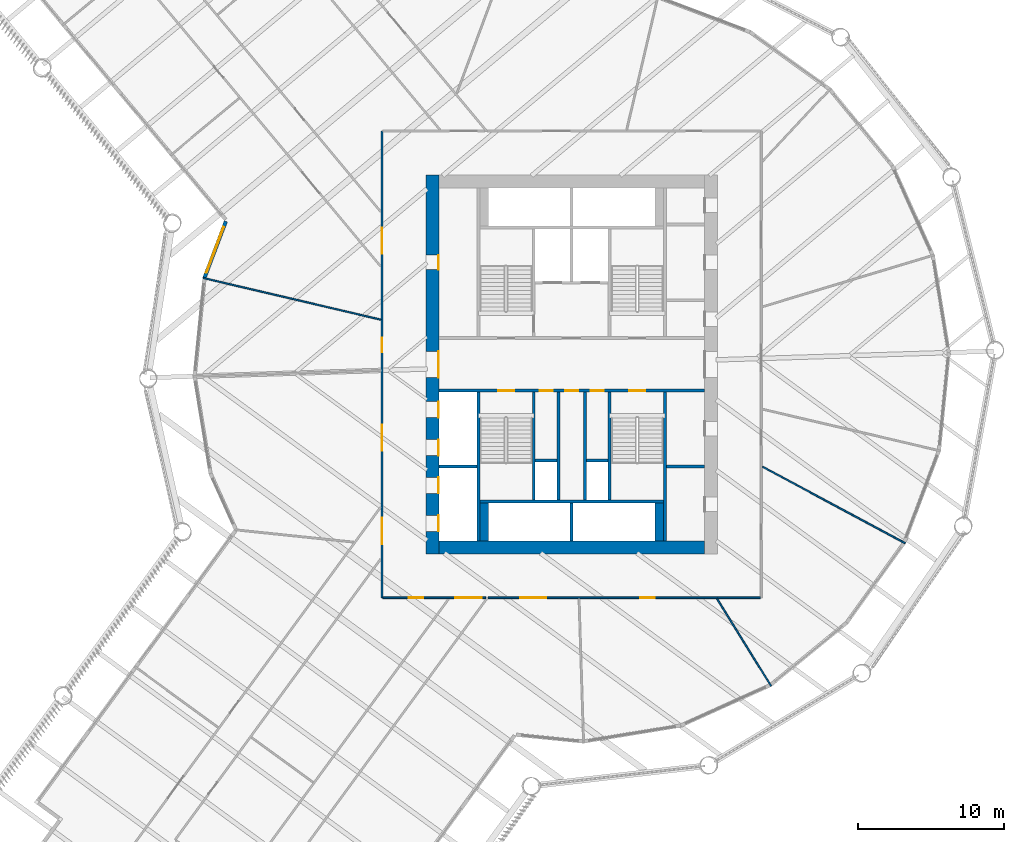
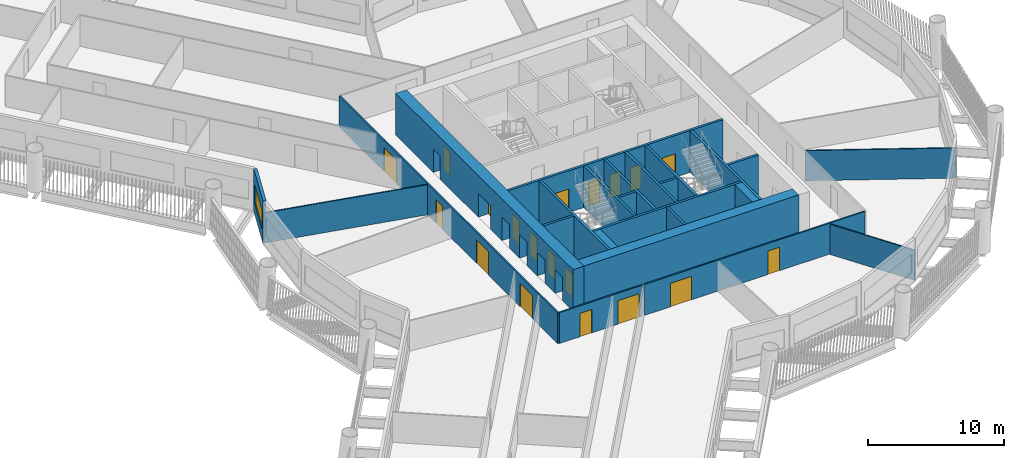
# One storey, part 4 of 15: 24 walls, 19 doors, 1 window, 20 openings.
"""IFC4 building model written with IfcOpenShell, lengths in metres."""

from ifc_helpers import new_model, si_unit, direction, frame, frame_2d, origin, place, context, subcontext, project, spatial, rectangle, extrude, material, layer, layer_set, type_object, element, fill, save


model = new_model("IFC4")

# Units and contexts
model_context = context("Model", 3, precision=1e-05, world=origin(), true_north=direction((0.0, 1.0)))
body_context = subcontext(model_context, "Body", "Model", "MODEL_VIEW")
ifc_project = project(units=[si_unit("LENGTHUNIT", "METRE"), si_unit("AREAUNIT", "SQUARE_METRE"), si_unit("VOLUMEUNIT", "CUBIC_METRE"), si_unit("PLANEANGLEUNIT", "RADIAN"), si_unit("MASSUNIT", "GRAM", prefix="KILO")], contexts=[model_context])

# Site, building, storey
site_placement = place(None, origin())
site = spatial("IfcSite", under=ifc_project, at=site_placement, CompositionType="ELEMENT")
building_placement = place(site_placement, origin())
building = spatial("IfcBuilding", under=site, at=building_placement, Name="Tarsis Ring Headquarters", CompositionType="ELEMENT")
storey_placement = place(building_placement, frame((0.0, 0.0, 43.89990234375)))
storey = spatial("IfcBuildingStorey", under=building, at=storey_placement, Name="L08", CompositionType="ELEMENT", Elevation=43.89990234375)

# Walls
ifc_material_1 = material(Name="Blockwork", Category="masonry")
ifc_layer_1 = layer(ifc_material_1, 0.199951171875)
ifc_layer_set_1 = layer_set([ifc_layer_1], Name="Core blockwork wall 200")
wall_type_1 = type_object("IfcWallType", Name="Core blockwork wall 200", PredefinedType="PARTITIONING", material=ifc_layer_set_1)
wall_1_placement = place(storey_placement, frame((6.5, -7.0, 0.0), z_axis=(0.0, 0.0, 1.0), x_axis=(1.0, 0.0, 0.0)))
element("IfcWall", 1, at=wall_1_placement, inside=storey, type_object=wall_type_1, Name="Core partition ED2", PredefinedType="PARTITIONING", context=body_context, shape_type="SweptSolid", body=[
    extrude(rectangle(XDim=2.60009765625, YDim=0.199951171875, at=frame_2d((1.300048828125, 0.0))), origin(), (0.0, 0.0, 1.0), 3.739990234375),
])
for number, where, z_axis, x_axis, name in (
    (2, (-2.5, -6.60009765625, 0.0), (0.0, 0.0, 1.0), (1.0, 0.0, 0.0), "Core partition SP1"),
    (3, (1.0, -6.60009765625, 0.0), (0.0, 0.0, 1.0), (1.0, 0.0, 0.0), "Core partition SP3"),
):
    element("IfcWall", number, at=place(storey_placement, frame(where, z_axis=z_axis, x_axis=x_axis)), inside=storey, type_object=wall_type_1, Name=name, PredefinedType="PARTITIONING", context=body_context, shape_type="SweptSolid", body=[
        extrude(rectangle(XDim=1.5, YDim=0.199951171875, at=frame_2d((0.75, 0.0))), origin(), (0.0, 0.0, 1.0), 3.739990234375),
    ])
for number, where, z_axis, x_axis, name in (
    (4, (-0.89990234375, -9.300048828125, 0.0), (0.0, 0.0, 1.0), (0.0, 1.0, 0.0), "Core partition SV1"),
    (5, (0.89990234375, -9.300048828125, 0.0), (0.0, 0.0, 1.0), (0.0, 1.0, 0.0), "Core partition SV2"),
):
    element("IfcWall", number, at=place(storey_placement, frame(where, z_axis=z_axis, x_axis=x_axis)), inside=storey, type_object=wall_type_1, Name=name, PredefinedType="PARTITIONING", context=body_context, shape_type="SweptSolid", body=[
        extrude(rectangle(XDim=7.400146484375, YDim=0.199951171875, at=frame_2d((3.7001953125, 0.0))), origin(), (0.0, 0.0, 1.0), 3.739990234375),
    ])

# Wall, openings, doors
ifc_material_2 = material(Name="Concrete C60/75", Category="concrete")
ifc_layer_2 = layer(ifc_material_2, 0.89990234375)
ifc_layer_set_2 = layer_set([ifc_layer_2], Name="Core wall 900 C60/75")
wall_type_2 = type_object("IfcWallType", Name="Core wall 900 C60/75", PredefinedType="SHEAR", material=ifc_layer_set_2)
wall_2_placement = place(storey_placement, frame((-9.550048828125, -13.0, 0.0), z_axis=(0.0, 0.0, 1.0), x_axis=(0.0, 1.0, 0.0)))
wall_2 = element("IfcWall", 6, at=wall_2_placement, inside=storey, type_object=wall_type_2, Name="Core wall OW", PredefinedType="SHEAR", context=body_context, shape_type="SweptSolid", body=[
    extrude(rectangle(XDim=26.0, YDim=0.89990234375, at=frame_2d((13.0, 0.0))), origin(), (0.0, 0.0, 1.0), 3.739990234375),
])
opening_1_placement = place(wall_2_placement, frame((1.550048828125, 0.0, 0.0)))
opening_1 = element("IfcOpeningElement", 7, at=opening_1_placement, cuts=wall_2, Name="Opening LD-LR1", PredefinedType="OPENING", context=body_context, shape_type="SweptSolid", body=[
    extrude(rectangle(XDim=1.10009765625, YDim=2.10009765625, at=frame_2d((0.550048828125, 1.050048828125))), frame((0.0, 0.4599609375, 0.0), z_axis=(0.0, -1.0, 0.0), x_axis=(1.0, 0.0, 0.0)), (0.0, 0.0, 1.0), 0.919921875),
])
opening_2_placement = place(wall_2_placement, frame((4.14990234375, 0.0, 0.0)))
opening_2 = element("IfcOpeningElement", 8, at=opening_2_placement, cuts=wall_2, Name="Opening LD-LR2", PredefinedType="OPENING", context=body_context, shape_type="SweptSolid", body=[
    extrude(rectangle(XDim=1.10009765625, YDim=2.10009765625, at=frame_2d((0.550048828125, 1.050048828125))), frame((0.0, 0.4599609375, 0.0), z_axis=(0.0, -1.0, 0.0), x_axis=(1.0, 0.0, 0.0)), (0.0, 0.0, 1.0), 0.919921875),
])
opening_3_placement = place(wall_2_placement, frame((6.75, 0.0, 0.0)))
opening_3 = element("IfcOpeningElement", 9, at=opening_3_placement, cuts=wall_2, Name="Opening LD-LR3", PredefinedType="OPENING", context=body_context, shape_type="SweptSolid", body=[
    extrude(rectangle(XDim=1.10009765625, YDim=2.10009765625, at=frame_2d((0.550048828125, 1.050048828125))), frame((0.0, 0.4599609375, 0.0), z_axis=(0.0, -1.0, 0.0), x_axis=(1.0, 0.0, 0.0)), (0.0, 0.0, 1.0), 0.919921875),
])
opening_4_placement = place(wall_2_placement, frame((9.35009765625, 0.0, 0.0)))
opening_4 = element("IfcOpeningElement", 10, at=opening_4_placement, cuts=wall_2, Name="Opening LD-LR4", PredefinedType="OPENING", context=body_context, shape_type="SweptSolid", body=[
    extrude(rectangle(XDim=1.10009765625, YDim=2.10009765625, at=frame_2d((0.550048828125, 1.050048828125))), frame((0.0, 0.4599609375, 0.0), z_axis=(0.0, -1.0, 0.0), x_axis=(1.0, 0.0, 0.0)), (0.0, 0.0, 1.0), 0.919921875),
])
opening_5_placement = place(wall_2_placement, frame((12.10009765625, 0.0, 0.0)))
opening_5 = element("IfcOpeningElement", 11, at=opening_5_placement, cuts=wall_2, Name="Opening L08-C05", PredefinedType="OPENING", context=body_context, shape_type="SweptSolid", body=[
    extrude(rectangle(XDim=1.800048828125, YDim=2.10009765625, at=frame_2d((0.89990234375, 1.050048828125))), frame((0.0, 0.4599609375, 0.0), z_axis=(0.0, -1.0, 0.0), x_axis=(1.0, 0.0, 0.0)), (0.0, 0.0, 1.0), 0.919921875),
])
opening_6_placement = place(wall_2_placement, frame((19.5, 0.0, 0.0)))
opening_6 = element("IfcOpeningElement", 12, at=opening_6_placement, cuts=wall_2, Name="Opening L08-C06", PredefinedType="OPENING", context=body_context, shape_type="SweptSolid", body=[
    extrude(rectangle(XDim=1.0, YDim=2.10009765625, at=frame_2d((0.5, 1.050048828125))), frame((0.0, 0.4599609375, 0.0), z_axis=(0.0, -1.0, 0.0), x_axis=(1.0, 0.0, 0.0)), (0.0, 0.0, 1.0), 0.919921875),
])
ifc_material_3 = material(Name="Steel S355", Category="steel")
door_type_1 = type_object("IfcDoorType", Name="Core entry door 1800x2100", OperationType="DOUBLE_DOOR_SINGLE_SWING", PredefinedType="DOOR", material=ifc_material_3)
door_1_placement = place(opening_5_placement, origin())
door_1 = element("IfcDoor", 13, at=door_1_placement, inside=storey, type_object=door_type_1, Name="Core entry door L08", OperationType="DOUBLE_DOOR_SINGLE_SWING", OverallHeight=2.10009765625, OverallWidth=1.800048828125, PredefinedType="DOOR", context=body_context, shape_type="SweptSolid", body=[
    extrude(rectangle(XDim=1.800048828125, YDim=2.10009765625, at=frame_2d((0.89990234375, 1.050048828125))), frame((0.0, -0.39990234375, 0.0), z_axis=(0.0, -1.0, 0.0), x_axis=(1.0, 0.0, 0.0)), (0.0, 0.0, 1.0), 0.050048828125),
])
fill(opening_5, door_1)
door_type_2 = type_object("IfcDoorType", Name="Core room door 1000x2100", OperationType="SINGLE_SWING_LEFT", PredefinedType="DOOR", material=ifc_material_3)
door_2_placement = place(opening_6_placement, origin())
door_2 = element("IfcDoor", 14, at=door_2_placement, inside=storey, type_object=door_type_2, Name="Core room door L08", OperationType="SINGLE_SWING_LEFT", OverallHeight=2.10009765625, OverallWidth=1.0, PredefinedType="DOOR", context=body_context, shape_type="SweptSolid", body=[
    extrude(rectangle(XDim=1.0, YDim=2.10009765625, at=frame_2d((0.5, 1.050048828125))), frame((0.0, -0.39990234375, 0.0), z_axis=(0.0, -1.0, 0.0), x_axis=(1.0, 0.0, 0.0)), (0.0, 0.0, 1.0), 0.050048828125),
])
fill(opening_6, door_2)
door_type_3 = type_object("IfcDoorType", Name="Landing door 1100x2100", OperationType="SLIDING_TO_LEFT", PredefinedType="DOOR", material=ifc_material_3)
door_3_placement = place(opening_1_placement, origin())
door_3 = element("IfcDoor", 15, at=door_3_placement, inside=storey, type_object=door_type_3, Name="Landing door LR1 L08", OperationType="SLIDING_TO_LEFT", OverallHeight=2.10009765625, OverallWidth=1.10009765625, PredefinedType="DOOR", context=body_context, shape_type="SweptSolid", body=[
    extrude(rectangle(XDim=1.10009765625, YDim=2.10009765625, at=frame_2d((0.550048828125, 1.050048828125))), frame((0.0, -0.39990234375, 0.0), z_axis=(0.0, -1.0, 0.0), x_axis=(1.0, 0.0, 0.0)), (0.0, 0.0, 1.0), 0.050048828125),
])
fill(opening_1, door_3)
door_4_placement = place(opening_2_placement, origin())
door_4 = element("IfcDoor", 16, at=door_4_placement, inside=storey, type_object=door_type_3, Name="Landing door LR2 L08", OperationType="SLIDING_TO_LEFT", OverallHeight=2.10009765625, OverallWidth=1.10009765625, PredefinedType="DOOR", context=body_context, shape_type="SweptSolid", body=[
    extrude(rectangle(XDim=1.10009765625, YDim=2.10009765625, at=frame_2d((0.550048828125, 1.050048828125))), frame((0.0, -0.39990234375, 0.0), z_axis=(0.0, -1.0, 0.0), x_axis=(1.0, 0.0, 0.0)), (0.0, 0.0, 1.0), 0.050048828125),
])
fill(opening_2, door_4)
door_5_placement = place(opening_3_placement, origin())
door_5 = element("IfcDoor", 17, at=door_5_placement, inside=storey, type_object=door_type_3, Name="Landing door LR3 L08", OperationType="SLIDING_TO_LEFT", OverallHeight=2.10009765625, OverallWidth=1.10009765625, PredefinedType="DOOR", context=body_context, shape_type="SweptSolid", body=[
    extrude(rectangle(XDim=1.10009765625, YDim=2.10009765625, at=frame_2d((0.550048828125, 1.050048828125))), frame((0.0, -0.39990234375, 0.0), z_axis=(0.0, -1.0, 0.0), x_axis=(1.0, 0.0, 0.0)), (0.0, 0.0, 1.0), 0.050048828125),
])
fill(opening_3, door_5)
door_6_placement = place(opening_4_placement, origin())
door_6 = element("IfcDoor", 18, at=door_6_placement, inside=storey, type_object=door_type_3, Name="Landing door LR4 L08", OperationType="SLIDING_TO_LEFT", OverallHeight=2.10009765625, OverallWidth=1.10009765625, PredefinedType="DOOR", context=body_context, shape_type="SweptSolid", body=[
    extrude(rectangle(XDim=1.10009765625, YDim=2.10009765625, at=frame_2d((0.550048828125, 1.050048828125))), frame((0.0, -0.39990234375, 0.0), z_axis=(0.0, -1.0, 0.0), x_axis=(1.0, 0.0, 0.0)), (0.0, 0.0, 1.0), 0.050048828125),
])
fill(opening_4, door_6)

# Walls
wall_3_placement = place(storey_placement, frame((-9.10009765625, -12.550048828125, 0.0), z_axis=(0.0, 0.0, 1.0), x_axis=(1.0, 0.0, 0.0)))
element("IfcWall", 19, at=wall_3_placement, inside=storey, type_object=wall_type_2, Name="Core wall OS", PredefinedType="SHEAR", context=body_context, shape_type="SweptSolid", body=[
    extrude(rectangle(XDim=18.2001953125, YDim=0.89990234375, at=frame_2d((9.10009765625, 0.0))), origin(), (0.0, 0.0, 1.0), 3.739990234375),
])
ifc_material_4 = material(Name="Gypsum board on steel studs", Category="steel")
ifc_layer_3 = layer(ifc_material_4, 0.10009765625)
ifc_layer_set_3 = layer_set([ifc_layer_3], Name="FL partition 100 unrated")
wall_type_3 = type_object("IfcWallType", Name="FL partition 100 unrated", PredefinedType="PARTITIONING", material=ifc_layer_set_3)
wall_4_placement = place(storey_placement, frame((-25.26220703125, 5.92529296875, 0.0), z_axis=(0.0, 0.0, 1.0), x_axis=(0.973578742912, -0.228351552109, 0.0)))
element("IfcWall", 20, at=wall_4_placement, inside=storey, type_object=wall_type_3, Name="Partition PW3", PredefinedType="PARTITIONING", context=body_context, shape_type="SweptSolid", body=[
    extrude(rectangle(XDim=12.52490234375, YDim=0.10009765625, at=frame_2d((6.262451171875, 0.0))), origin(), (0.0, 0.0, 1.0), 2.7001953125),
])
wall_5_placement = place(storey_placement, frame((13.079345703125, -7.01318359375, 0.0), z_axis=(0.0, 0.0, 1.0), x_axis=(0.881305412671, -0.472547108336, 0.0)))
element("IfcWall", 21, at=wall_5_placement, inside=storey, type_object=wall_type_3, Name="Partition PW3", PredefinedType="PARTITIONING", context=body_context, shape_type="SweptSolid", body=[
    extrude(rectangle(XDim=11.10693359375, YDim=0.10009765625, at=frame_2d((5.553466796875, 0.0))), origin(), (0.0, 0.0, 1.0), 2.7001953125),
])
wall_6_placement = place(storey_placement, frame((9.9677734375, -16.076416015625, 0.0), z_axis=(0.0, 0.0, 1.0), x_axis=(0.526949700028, -0.849896472307, 0.0)))
element("IfcWall", 22, at=wall_6_placement, inside=storey, type_object=wall_type_3, Name="Partition PW3", PredefinedType="PARTITIONING", context=body_context, shape_type="SweptSolid", body=[
    extrude(rectangle(XDim=7.0322265625, YDim=0.10009765625, at=frame_2d((3.51611328125, 0.0))), origin(), (0.0, 0.0, 1.0), 2.7001953125),
])

# Wall, openings, doors
ifc_layer_4 = layer(ifc_material_4, 0.125)
ifc_layer_set_4 = layer_set([ifc_layer_4], Name="FL partition 125 EI 60 H2770")
wall_type_4 = type_object("IfcWallType", Name="FL partition 125 EI 60 H2770", PredefinedType="PARTITIONING", material=ifc_layer_set_4)
wall_7_placement = place(storey_placement, frame((-13.0, -15.9990234375, 0.0), z_axis=(0.0, 0.0, 1.0), x_axis=(0.0, 1.0, 0.0)))
wall_7 = element("IfcWall", 23, at=wall_7_placement, inside=storey, type_object=wall_type_4, Name="Partition PW1", PredefinedType="PARTITIONING", context=body_context, shape_type="SweptSolid", body=[
    extrude(rectangle(XDim=31.9990234375, YDim=0.125, at=frame_2d((15.99951171875, 0.0))), origin(), (0.0, 0.0, 1.0), 2.77001953125),
])
opening_7_placement = place(wall_7_placement, frame((10.06884765625, 0.0, 0.0)))
opening_7 = element("IfcOpeningElement", 24, at=opening_7_placement, cuts=wall_7, Name="Opening D08.15", PredefinedType="OPENING", context=body_context, shape_type="SweptSolid", body=[
    extrude(rectangle(XDim=1.800048828125, YDim=2.10009765625, at=frame_2d((0.89990234375, 1.050048828125))), frame((0.0, 0.072509765625, 0.0), z_axis=(0.0, -1.0, 0.0), x_axis=(1.0, 0.0, 0.0)), (0.0, 0.0, 1.0), 0.14501953125),
])
opening_8_placement = place(wall_7_placement, frame((16.8193359375, 0.0, 0.0)))
opening_8 = element("IfcOpeningElement", 25, at=opening_8_placement, cuts=wall_7, Name="Opening D08.16", PredefinedType="OPENING", context=body_context, shape_type="SweptSolid", body=[
    extrude(rectangle(XDim=1.0, YDim=2.10009765625, at=frame_2d((0.5, 1.050048828125))), frame((0.0, 0.072509765625, 0.0), z_axis=(0.0, -1.0, 0.0), x_axis=(1.0, 0.0, 0.0)), (0.0, 0.0, 1.0), 0.14501953125),
])
opening_9_placement = place(wall_7_placement, frame((3.669189453125, 0.0, 0.0)))
opening_9 = element("IfcOpeningElement", 26, at=opening_9_placement, cuts=wall_7, Name="Opening D08.23", PredefinedType="OPENING", context=body_context, shape_type="SweptSolid", body=[
    extrude(rectangle(XDim=1.800048828125, YDim=2.10009765625, at=frame_2d((0.89990234375, 1.050048828125))), frame((0.0, 0.072509765625, 0.0), z_axis=(0.0, -1.0, 0.0), x_axis=(1.0, 0.0, 0.0)), (0.0, 0.0, 1.0), 0.14501953125),
])
opening_10_placement = place(wall_7_placement, frame((23.578369140625, 0.0, 0.0)))
opening_10 = element("IfcOpeningElement", 27, at=opening_10_placement, cuts=wall_7, Name="Opening D08.25", PredefinedType="OPENING", context=body_context, shape_type="SweptSolid", body=[
    extrude(rectangle(XDim=1.800048828125, YDim=2.10009765625, at=frame_2d((0.89990234375, 1.050048828125))), frame((0.0, 0.072509765625, 0.0), z_axis=(0.0, -1.0, 0.0), x_axis=(1.0, 0.0, 0.0)), (0.0, 0.0, 1.0), 0.14501953125),
])
ifc_material_5 = material(Name="Fire-rated timber door leaf in steel frame", Category="steel")
door_type_4 = type_object("IfcDoorType", Name="FL door FD60-1000", OperationType="NOTDEFINED", PredefinedType="DOOR", material=ifc_material_5)
door_7_placement = place(opening_8_placement, origin())
door_7 = element("IfcDoor", 28, at=door_7_placement, inside=storey, type_object=door_type_4, Name="Door D08.16", OperationType="SINGLE_SWING_RIGHT", OverallHeight=2.10009765625, OverallWidth=1.0, PredefinedType="DOOR", context=body_context, shape_type="SweptSolid", body=[
    extrude(rectangle(XDim=1.0, YDim=2.10009765625, at=frame_2d((0.5, 1.050048828125))), frame((0.0, 0.02490234375, 0.0), z_axis=(0.0, -1.0, 0.0), x_axis=(1.0, 0.0, 0.0)), (0.0, 0.0, 1.0), 0.050048828125),
])
fill(opening_8, door_7)
door_type_5 = type_object("IfcDoorType", Name="FL door FD60-1800", OperationType="DOUBLE_DOOR_SINGLE_SWING", PredefinedType="DOOR", material=ifc_material_5)
door_8_placement = place(opening_7_placement, origin())
door_8 = element("IfcDoor", 29, at=door_8_placement, inside=storey, type_object=door_type_5, Name="Door D08.15", OperationType="DOUBLE_DOOR_SINGLE_SWING", OverallHeight=2.10009765625, OverallWidth=1.800048828125, PredefinedType="DOOR", context=body_context, shape_type="SweptSolid", body=[
    extrude(rectangle(XDim=1.800048828125, YDim=2.10009765625, at=frame_2d((0.89990234375, 1.050048828125))), frame((0.0, 0.02490234375, 0.0), z_axis=(0.0, -1.0, 0.0), x_axis=(1.0, 0.0, 0.0)), (0.0, 0.0, 1.0), 0.050048828125),
])
fill(opening_7, door_8)
door_9_placement = place(opening_9_placement, origin())
door_9 = element("IfcDoor", 30, at=door_9_placement, inside=storey, type_object=door_type_5, Name="Door D08.23", OperationType="DOUBLE_DOOR_SINGLE_SWING", OverallHeight=2.10009765625, OverallWidth=1.800048828125, PredefinedType="DOOR", context=body_context, shape_type="SweptSolid", body=[
    extrude(rectangle(XDim=1.800048828125, YDim=2.10009765625, at=frame_2d((0.89990234375, 1.050048828125))), frame((0.0, 0.02490234375, 0.0), z_axis=(0.0, -1.0, 0.0), x_axis=(1.0, 0.0, 0.0)), (0.0, 0.0, 1.0), 0.050048828125),
])
fill(opening_9, door_9)
door_10_placement = place(opening_10_placement, origin())
door_10 = element("IfcDoor", 31, at=door_10_placement, inside=storey, type_object=door_type_5, Name="Door D08.25", OperationType="DOUBLE_DOOR_SINGLE_SWING", OverallHeight=2.10009765625, OverallWidth=1.800048828125, PredefinedType="DOOR", context=body_context, shape_type="SweptSolid", body=[
    extrude(rectangle(XDim=1.800048828125, YDim=2.10009765625, at=frame_2d((0.89990234375, 1.050048828125))), frame((0.0, 0.02490234375, 0.0), z_axis=(0.0, -1.0, 0.0), x_axis=(1.0, 0.0, 0.0)), (0.0, 0.0, 1.0), 0.050048828125),
])
fill(opening_10, door_10)

wall_8_placement = place(storey_placement, frame((-12.93896484375, -16.0, 0.0), z_axis=(0.0, 0.0, 1.0), x_axis=(1.0, 0.0, 0.0)))
wall_8 = element("IfcWall", 32, at=wall_8_placement, inside=storey, type_object=wall_type_4, Name="Partition PW1", PredefinedType="PARTITIONING", context=body_context, shape_type="SweptSolid", body=[
    extrude(rectangle(XDim=7.041259765625, YDim=0.125, at=frame_2d((3.5205078125, 0.0))), origin(), (0.0, 0.0, 1.0), 2.77001953125),
])
opening_11_placement = place(wall_8_placement, frame((1.751220703125, 0.0, 0.0)))
opening_11 = element("IfcOpeningElement", 33, at=opening_11_placement, cuts=wall_8, Name="Opening D08.21", PredefinedType="OPENING", context=body_context, shape_type="SweptSolid", body=[
    extrude(rectangle(XDim=1.0, YDim=2.10009765625, at=frame_2d((0.5, 1.050048828125))), frame((0.0, 0.072509765625, 0.0), z_axis=(0.0, -1.0, 0.0), x_axis=(1.0, 0.0, 0.0)), (0.0, 0.0, 1.0), 0.14501953125),
])
opening_12_placement = place(wall_8_placement, frame((4.96337890625, 0.0, 0.0)))
opening_12 = element("IfcOpeningElement", 34, at=opening_12_placement, cuts=wall_8, Name="Opening D08.24", PredefinedType="OPENING", context=body_context, shape_type="SweptSolid", body=[
    extrude(rectangle(XDim=1.800048828125, YDim=2.10009765625, at=frame_2d((0.89990234375, 1.050048828125))), frame((0.0, 0.072509765625, 0.0), z_axis=(0.0, -1.0, 0.0), x_axis=(1.0, 0.0, 0.0)), (0.0, 0.0, 1.0), 0.14501953125),
])
door_11_placement = place(opening_11_placement, origin())
door_11 = element("IfcDoor", 35, at=door_11_placement, inside=storey, type_object=door_type_4, Name="Door D08.21", OperationType="SINGLE_SWING_LEFT", OverallHeight=2.10009765625, OverallWidth=1.0, PredefinedType="DOOR", context=body_context, shape_type="SweptSolid", body=[
    extrude(rectangle(XDim=1.0, YDim=2.10009765625, at=frame_2d((0.5, 1.050048828125))), frame((0.0, 0.02490234375, 0.0), z_axis=(0.0, -1.0, 0.0), x_axis=(1.0, 0.0, 0.0)), (0.0, 0.0, 1.0), 0.050048828125),
])
fill(opening_11, door_11)
door_12_placement = place(opening_12_placement, origin())
door_12 = element("IfcDoor", 36, at=door_12_placement, inside=storey, type_object=door_type_5, Name="Door D08.24", OperationType="DOUBLE_DOOR_SINGLE_SWING", OverallHeight=2.10009765625, OverallWidth=1.800048828125, PredefinedType="DOOR", context=body_context, shape_type="SweptSolid", body=[
    extrude(rectangle(XDim=1.800048828125, YDim=2.10009765625, at=frame_2d((0.89990234375, 1.050048828125))), frame((0.0, 0.02490234375, 0.0), z_axis=(0.0, -1.0, 0.0), x_axis=(1.0, 0.0, 0.0)), (0.0, 0.0, 1.0), 0.050048828125),
])
fill(opening_12, door_12)

wall_9_placement = place(storey_placement, frame((-5.723876953125, -16.0, 0.0), z_axis=(0.0, 0.0, 1.0), x_axis=(1.0, 0.0, 0.0)))
wall_9 = element("IfcWall", 37, at=wall_9_placement, inside=storey, type_object=wall_type_4, Name="Partition PW1", PredefinedType="PARTITIONING", context=body_context, shape_type="SweptSolid", body=[
    extrude(rectangle(XDim=18.663818359375, YDim=0.125, at=frame_2d((9.33203125, 0.0))), origin(), (0.0, 0.0, 1.0), 2.77001953125),
])
opening_13_placement = place(wall_9_placement, frame((10.435546875, 0.0, 0.0)))
opening_13 = element("IfcOpeningElement", 38, at=opening_13_placement, cuts=wall_9, Name="Opening D08.10", PredefinedType="OPENING", context=body_context, shape_type="SweptSolid", body=[
    extrude(rectangle(XDim=1.0, YDim=2.10009765625, at=frame_2d((0.5, 1.050048828125))), frame((0.0, 0.072509765625, 0.0), z_axis=(0.0, -1.0, 0.0), x_axis=(1.0, 0.0, 0.0)), (0.0, 0.0, 1.0), 0.14501953125),
])
opening_14_placement = place(wall_9_placement, frame((2.188232421875, 0.0, 0.0)))
opening_14 = element("IfcOpeningElement", 39, at=opening_14_placement, cuts=wall_9, Name="Opening D08.11", PredefinedType="OPENING", context=body_context, shape_type="SweptSolid", body=[
    extrude(rectangle(XDim=1.800048828125, YDim=2.10009765625, at=frame_2d((0.89990234375, 1.050048828125))), frame((0.0, 0.072509765625, 0.0), z_axis=(0.0, -1.0, 0.0), x_axis=(1.0, 0.0, 0.0)), (0.0, 0.0, 1.0), 0.14501953125),
])
door_13_placement = place(opening_13_placement, origin())
door_13 = element("IfcDoor", 40, at=door_13_placement, inside=storey, type_object=door_type_4, Name="Door D08.10", OperationType="SINGLE_SWING_RIGHT", OverallHeight=2.10009765625, OverallWidth=1.0, PredefinedType="DOOR", context=body_context, shape_type="SweptSolid", body=[
    extrude(rectangle(XDim=1.0, YDim=2.10009765625, at=frame_2d((0.5, 1.050048828125))), frame((0.0, 0.02490234375, 0.0), z_axis=(0.0, -1.0, 0.0), x_axis=(1.0, 0.0, 0.0)), (0.0, 0.0, 1.0), 0.050048828125),
])
fill(opening_13, door_13)
door_14_placement = place(opening_14_placement, origin())
door_14 = element("IfcDoor", 41, at=door_14_placement, inside=storey, type_object=door_type_5, Name="Door D08.11", OperationType="DOUBLE_DOOR_SINGLE_SWING", OverallHeight=2.10009765625, OverallWidth=1.800048828125, PredefinedType="DOOR", context=body_context, shape_type="SweptSolid", body=[
    extrude(rectangle(XDim=1.800048828125, YDim=2.10009765625, at=frame_2d((0.89990234375, 1.050048828125))), frame((0.0, 0.02490234375, 0.0), z_axis=(0.0, -1.0, 0.0), x_axis=(1.0, 0.0, 0.0)), (0.0, 0.0, 1.0), 0.050048828125),
])
fill(opening_14, door_14)

# Wall, opening, window
ifc_material_6 = material(Name="Terracotta clad insulated panel wall", Category="masonry")
ifc_layer_5 = layer(ifc_material_6, 0.25)
ifc_layer_set_5 = layer_set([ifc_layer_5], Name="Facade wall terracotta panel 250")
wall_type_5 = type_object("IfcWallType", Name="Facade wall terracotta panel 250", PredefinedType="STANDARD", material=ifc_layer_set_5)
wall_10_placement = place(storey_placement, frame((-23.71484375, 9.81298828125, 0.0), z_axis=(0.0, 0.0, 1.0), x_axis=(-0.353503341873, -0.935433261801, 0.0)))
wall_10 = element("IfcWall", 42, at=wall_10_placement, inside=storey, type_object=wall_type_5, Name="External wall L08-02", PredefinedType="STANDARD", context=body_context, shape_type="SweptSolid", body=[
    extrude(rectangle(XDim=4.15771484375, YDim=0.25, at=frame_2d((2.078857421875, 0.0))), origin(), (0.0, 0.0, 1.0), 3.739990234375),
])
opening_15_placement = place(wall_10_placement, frame((0.420166015625, 0.0, 0.89990234375)))
opening_15 = element("IfcOpeningElement", 43, at=opening_15_placement, cuts=wall_10, Name="Opening WN01", PredefinedType="OPENING", context=body_context, shape_type="SweptSolid", body=[
    extrude(rectangle(XDim=3.35009765625, YDim=1.699951171875, at=frame_2d((1.675048828125, 0.85009765625))), frame((0.0, 0.135009765625, 0.0), z_axis=(0.0, -1.0, 0.0), x_axis=(1.0, 0.0, 0.0)), (0.0, 0.0, 1.0), 0.27001953125),
])
ifc_material_7 = material(Name="Aluminium framed double glazing", Category="aluminium")
window_type = type_object("IfcWindowType", Name="Facade window 3350 x 1700", PartitioningType="SINGLE_PANEL", PredefinedType="WINDOW", material=ifc_material_7)
window_placement = place(opening_15_placement, origin())
window = element("IfcWindow", 44, at=window_placement, inside=storey, type_object=window_type, Name="Window L08-02.1", OverallHeight=1.699951171875, OverallWidth=3.35009765625, PartitioningType="SINGLE_PANEL", PredefinedType="WINDOW", context=body_context, shape_type="SweptSolid", body=[
    extrude(rectangle(XDim=3.35009765625, YDim=1.699951171875, at=frame_2d((1.675048828125, 0.85009765625))), frame((0.0, 0.030029296875, 0.0), z_axis=(0.0, -1.0, 0.0), x_axis=(1.0, 0.0, 0.0)), (0.0, 0.0, 1.0), 0.06005859375),
])
fill(opening_15, window)

# Walls
ifc_material_8 = material(Name="Concrete C32/40", Category="concrete")
ifc_layer_6 = layer(ifc_material_8, 0.60009765625)
ifc_layer_set_6 = layer_set([ifc_layer_6], Name="Shaft end wall 600 C32/40")
wall_type_6 = type_object("IfcWallType", Name="Shaft end wall 600 C32/40", PredefinedType="SOLIDWALL", material=ifc_layer_set_6)
for number, where, z_axis, x_axis, name in (
    (45, (-6.0, -12.10009765625, 0.0), (0.0, 0.0, 1.0), (0.0, 1.0, 0.0), "Core shaft wall SNE1"),
    (46, (6.0, -12.10009765625, 0.0), (0.0, 0.0, 1.0), (0.0, 1.0, 0.0), "Core shaft wall SNE2"),
):
    element("IfcWall", number, at=place(storey_placement, frame(where, z_axis=z_axis, x_axis=x_axis)), inside=storey, type_object=wall_type_6, Name=name, PredefinedType="SOLIDWALL", context=body_context, shape_type="SweptSolid", body=[
        extrude(rectangle(XDim=2.60009765625, YDim=0.60009765625, at=frame_2d((1.300048828125, 0.0))), origin(), (0.0, 0.0, 1.0), 3.739990234375),
    ])

# Wall, openings, doors
ifc_layer_7 = layer(ifc_material_8, 0.199951171875)
ifc_layer_set_7 = layer_set([ifc_layer_7], Name="Shaft wall 200 C32/40")
wall_type_7 = type_object("IfcWallType", Name="Shaft wall 200 C32/40", PredefinedType="SOLIDWALL", material=ifc_layer_set_7)
wall_11_placement = place(storey_placement, frame((-9.10009765625, -1.800048828125, 0.0), z_axis=(0.0, 0.0, 1.0), x_axis=(1.0, 0.0, 0.0)))
wall_11 = element("IfcWall", 47, at=wall_11_placement, inside=storey, type_object=wall_type_7, Name="Core shaft wall CS", PredefinedType="SOLIDWALL", context=body_context, shape_type="SweptSolid", body=[
    extrude(rectangle(XDim=18.2001953125, YDim=0.199951171875, at=frame_2d((9.10009765625, 0.0))), origin(), (0.0, 0.0, 1.0), 3.739990234375),
])
opening_16_placement = place(wall_11_placement, frame((4.050048828125, 0.0, 0.0)))
opening_16 = element("IfcOpeningElement", 48, at=opening_16_placement, cuts=wall_11, Name="Opening L08-C16", PredefinedType="OPENING", context=body_context, shape_type="SweptSolid", body=[
    extrude(rectangle(XDim=1.10009765625, YDim=2.10009765625, at=frame_2d((0.550048828125, 1.050048828125))), frame((0.0, 0.10986328125, 0.0), z_axis=(0.0, -1.0, 0.0), x_axis=(1.0, 0.0, 0.0)), (0.0, 0.0, 1.0), 0.219970703125),
])
opening_17_placement = place(wall_11_placement, frame((6.89990234375, 0.0, 0.0)))
opening_17 = element("IfcOpeningElement", 49, at=opening_17_placement, cuts=wall_11, Name="Opening L08-C17", PredefinedType="OPENING", context=body_context, shape_type="SweptSolid", body=[
    extrude(rectangle(XDim=0.89990234375, YDim=2.10009765625, at=frame_2d((0.449951171875, 1.050048828125))), frame((0.0, 0.10986328125, 0.0), z_axis=(0.0, -1.0, 0.0), x_axis=(1.0, 0.0, 0.0)), (0.0, 0.0, 1.0), 0.219970703125),
])
opening_18_placement = place(wall_11_placement, frame((8.64990234375, 0.0, 0.0)))
opening_18 = element("IfcOpeningElement", 50, at=opening_18_placement, cuts=wall_11, Name="Opening L08-C18", PredefinedType="OPENING", context=body_context, shape_type="SweptSolid", body=[
    extrude(rectangle(XDim=0.89990234375, YDim=2.10009765625, at=frame_2d((0.449951171875, 1.050048828125))), frame((0.0, 0.10986328125, 0.0), z_axis=(0.0, -1.0, 0.0), x_axis=(1.0, 0.0, 0.0)), (0.0, 0.0, 1.0), 0.219970703125),
])
opening_19_placement = place(wall_11_placement, frame((10.39990234375, 0.0, 0.0)))
opening_19 = element("IfcOpeningElement", 51, at=opening_19_placement, cuts=wall_11, Name="Opening L08-C19", PredefinedType="OPENING", context=body_context, shape_type="SweptSolid", body=[
    extrude(rectangle(XDim=0.89990234375, YDim=2.10009765625, at=frame_2d((0.449951171875, 1.050048828125))), frame((0.0, 0.10986328125, 0.0), z_axis=(0.0, -1.0, 0.0), x_axis=(1.0, 0.0, 0.0)), (0.0, 0.0, 1.0), 0.219970703125),
])
opening_20_placement = place(wall_11_placement, frame((13.050048828125, 0.0, 0.0)))
opening_20 = element("IfcOpeningElement", 52, at=opening_20_placement, cuts=wall_11, Name="Opening L08-C20", PredefinedType="OPENING", context=body_context, shape_type="SweptSolid", body=[
    extrude(rectangle(XDim=1.10009765625, YDim=2.10009765625, at=frame_2d((0.550048828125, 1.050048828125))), frame((0.0, 0.10986328125, 0.0), z_axis=(0.0, -1.0, 0.0), x_axis=(1.0, 0.0, 0.0)), (0.0, 0.0, 1.0), 0.219970703125),
])
door_type_6 = type_object("IfcDoorType", Name="Stair door 1100x2100", OperationType="SINGLE_SWING_LEFT", PredefinedType="DOOR", material=ifc_material_3)
door_15_placement = place(opening_16_placement, origin())
door_15 = element("IfcDoor", 53, at=door_15_placement, inside=storey, type_object=door_type_6, Name="Stair door L08", OperationType="SINGLE_SWING_LEFT", OverallHeight=2.10009765625, OverallWidth=1.10009765625, PredefinedType="DOOR", context=body_context, shape_type="SweptSolid", body=[
    extrude(rectangle(XDim=1.10009765625, YDim=2.10009765625, at=frame_2d((0.550048828125, 1.050048828125))), frame((0.0, 0.02490234375, 0.0), z_axis=(0.0, -1.0, 0.0), x_axis=(1.0, 0.0, 0.0)), (0.0, 0.0, 1.0), 0.050048828125),
])
fill(opening_16, door_15)
door_16_placement = place(opening_20_placement, origin())
door_16 = element("IfcDoor", 54, at=door_16_placement, inside=storey, type_object=door_type_6, Name="Stair door L08", OperationType="SINGLE_SWING_LEFT", OverallHeight=2.10009765625, OverallWidth=1.10009765625, PredefinedType="DOOR", context=body_context, shape_type="SweptSolid", body=[
    extrude(rectangle(XDim=1.10009765625, YDim=2.10009765625, at=frame_2d((0.550048828125, 1.050048828125))), frame((0.0, 0.02490234375, 0.0), z_axis=(0.0, -1.0, 0.0), x_axis=(1.0, 0.0, 0.0)), (0.0, 0.0, 1.0), 0.050048828125),
])
fill(opening_20, door_16)
door_type_7 = type_object("IfcDoorType", Name="WC door 900x2100", OperationType="SINGLE_SWING_LEFT", PredefinedType="DOOR", material=ifc_material_3)
door_17_placement = place(opening_17_placement, origin())
door_17 = element("IfcDoor", 55, at=door_17_placement, inside=storey, type_object=door_type_7, Name="WC door L08", OperationType="SINGLE_SWING_LEFT", OverallHeight=2.10009765625, OverallWidth=0.89990234375, PredefinedType="DOOR", context=body_context, shape_type="SweptSolid", body=[
    extrude(rectangle(XDim=0.89990234375, YDim=2.10009765625, at=frame_2d((0.449951171875, 1.050048828125))), frame((0.0, 0.02490234375, 0.0), z_axis=(0.0, -1.0, 0.0), x_axis=(1.0, 0.0, 0.0)), (0.0, 0.0, 1.0), 0.050048828125),
])
fill(opening_17, door_17)
door_18_placement = place(opening_18_placement, origin())
door_18 = element("IfcDoor", 56, at=door_18_placement, inside=storey, type_object=door_type_7, Name="WC door L08", OperationType="SINGLE_SWING_LEFT", OverallHeight=2.10009765625, OverallWidth=0.89990234375, PredefinedType="DOOR", context=body_context, shape_type="SweptSolid", body=[
    extrude(rectangle(XDim=0.89990234375, YDim=2.10009765625, at=frame_2d((0.449951171875, 1.050048828125))), frame((0.0, 0.02490234375, 0.0), z_axis=(0.0, -1.0, 0.0), x_axis=(1.0, 0.0, 0.0)), (0.0, 0.0, 1.0), 0.050048828125),
])
fill(opening_18, door_18)
door_19_placement = place(opening_19_placement, origin())
door_19 = element("IfcDoor", 57, at=door_19_placement, inside=storey, type_object=door_type_7, Name="WC door L08", OperationType="SINGLE_SWING_LEFT", OverallHeight=2.10009765625, OverallWidth=0.89990234375, PredefinedType="DOOR", context=body_context, shape_type="SweptSolid", body=[
    extrude(rectangle(XDim=0.89990234375, YDim=2.10009765625, at=frame_2d((0.449951171875, 1.050048828125))), frame((0.0, 0.02490234375, 0.0), z_axis=(0.0, -1.0, 0.0), x_axis=(1.0, 0.0, 0.0)), (0.0, 0.0, 1.0), 0.050048828125),
])
fill(opening_19, door_19)

# Walls
for number, where, z_axis, x_axis, name in (
    (58, (-6.39990234375, -12.10009765625, 0.0), (0.0, 0.0, 1.0), (0.0, 1.0, 0.0), "Core shaft wall WB1"),
    (59, (6.39990234375, -12.10009765625, 0.0), (0.0, 0.0, 1.0), (0.0, 1.0, 0.0), "Core shaft wall EB1"),
):
    element("IfcWall", number, at=place(storey_placement, frame(where, z_axis=z_axis, x_axis=x_axis)), inside=storey, type_object=wall_type_7, Name=name, PredefinedType="SOLIDWALL", context=body_context, shape_type="SweptSolid", body=[
        extrude(rectangle(XDim=10.2001953125, YDim=0.199951171875, at=frame_2d((5.10009765625, 0.0))), origin(), (0.0, 0.0, 1.0), 3.739990234375),
    ])
wall_12_placement = place(storey_placement, frame((-6.300048828125, -9.39990234375, 0.0), z_axis=(0.0, 0.0, 1.0), x_axis=(1.0, 0.0, 0.0)))
element("IfcWall", 60, at=wall_12_placement, inside=storey, type_object=wall_type_7, Name="Core shaft wall SB", PredefinedType="SOLIDWALL", context=body_context, shape_type="SweptSolid", body=[
    extrude(rectangle(XDim=12.60009765625, YDim=0.199951171875, at=frame_2d((6.300048828125, 0.0))), origin(), (0.0, 0.0, 1.0), 3.739990234375),
])
for number, where, z_axis, x_axis, name in (
    (61, (-2.60009765625, -9.300048828125, 0.0), (0.0, 0.0, 1.0), (0.0, 1.0, 0.0), "Core shaft wall SW3"),
    (62, (2.60009765625, -9.300048828125, 0.0), (0.0, 0.0, 1.0), (0.0, 1.0, 0.0), "Core shaft wall SW4"),
):
    element("IfcWall", number, at=place(storey_placement, frame(where, z_axis=z_axis, x_axis=x_axis)), inside=storey, type_object=wall_type_7, Name=name, PredefinedType="SOLIDWALL", context=body_context, shape_type="SweptSolid", body=[
        extrude(rectangle(XDim=7.400146484375, YDim=0.199951171875, at=frame_2d((3.7001953125, 0.0))), origin(), (0.0, 0.0, 1.0), 3.739990234375),
    ])
for number, where, z_axis, x_axis, name in (
    (63, (-9.10009765625, -7.0, 0.0), (0.0, 0.0, 1.0), (1.0, 0.0, 0.0), "Core shaft wall WD2"),
    (64, (0.0, -12.10009765625, 0.0), (0.0, 0.0, 1.0), (0.0, 1.0, 0.0), "Core shaft wall SD2"),
):
    element("IfcWall", number, at=place(storey_placement, frame(where, z_axis=z_axis, x_axis=x_axis)), inside=storey, type_object=wall_type_7, Name=name, PredefinedType="SOLIDWALL", context=body_context, shape_type="SweptSolid", body=[
        extrude(rectangle(XDim=2.60009765625, YDim=0.199951171875, at=frame_2d((1.300048828125, 0.0))), origin(), (0.0, 0.0, 1.0), 3.739990234375),
    ])

save(model, "model.ifc")
